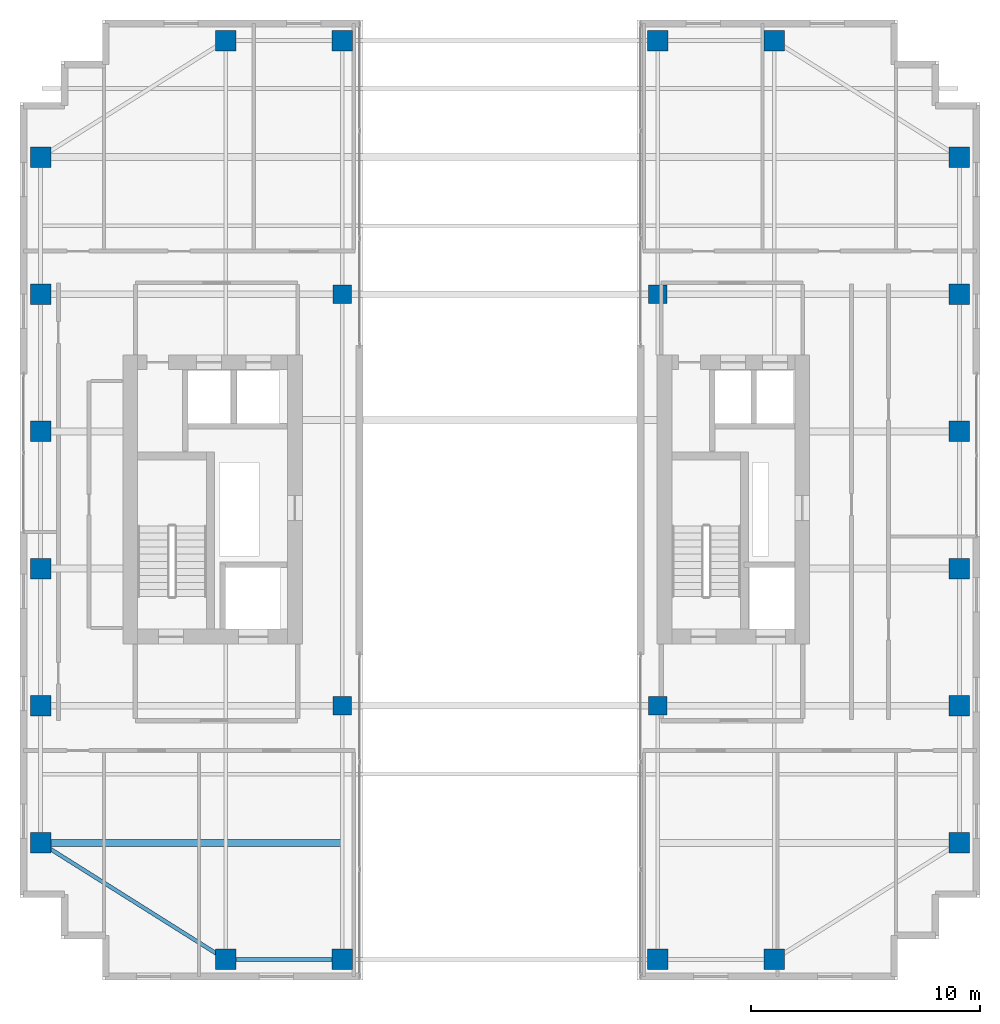
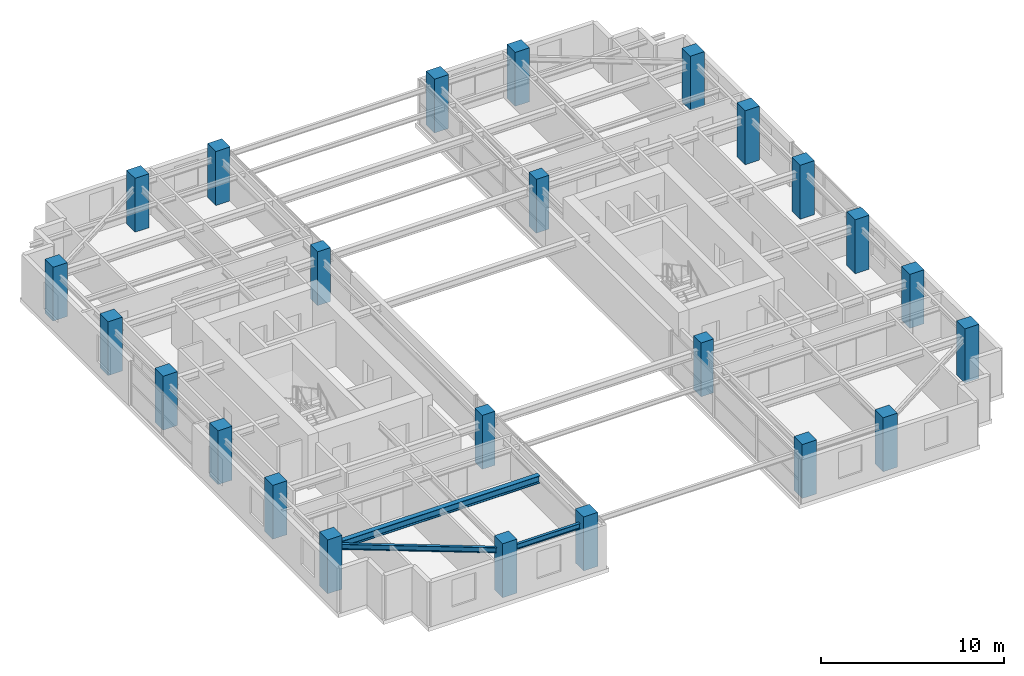
# One storey, part 1 of 21: 24 columns, 3 beams.
"""IFC4 building model written with IfcOpenShell, lengths in metres."""

from ifc_helpers import new_model, si_unit, direction, frame, origin, origin_2d, place, context, subcontext, project, spatial, rectangle, i_section, extrude, source, transform, mapped, material, material_profile, profile_set, type_object, element, save


model = new_model("IFC4")

# Units and contexts
model_context = context("Model", 3, precision=1e-05, world=origin(), true_north=direction((0.0, 1.0)))
body_context = subcontext(model_context, "Body", "Model", "MODEL_VIEW")
ifc_project = project(units=[si_unit("LENGTHUNIT", "METRE"), si_unit("AREAUNIT", "SQUARE_METRE"), si_unit("VOLUMEUNIT", "CUBIC_METRE"), si_unit("PLANEANGLEUNIT", "RADIAN"), si_unit("MASSUNIT", "GRAM", prefix="KILO")], contexts=[model_context])

# Site, building, storey
site_placement = place(None, origin())
site = spatial("IfcSite", under=ifc_project, at=site_placement, CompositionType="ELEMENT")
building_placement = place(site_placement, origin())
building = spatial("IfcBuilding", under=site, at=building_placement, Name="Khoralis Quay Care Tower", CompositionType="ELEMENT")
storey_placement = place(building_placement, frame((0.0, 0.0, 213.300048828125)))
storey = spatial("IfcBuildingStorey", under=building, at=storey_placement, Name="L56", CompositionType="ELEMENT", Elevation=213.300048828125)

# Columns
ifc_material_1 = material(Name="Concrete C65/80", Category="concrete")
ifc_material_profile_1 = material_profile(ifc_material_1, rectangle(XDim=0.89990234375, YDim=0.89990234375, at=origin_2d()), Name="Concrete C65/80")
ifc_profile_set_1 = profile_set([ifc_material_profile_1], Name="Concrete C65/80")
column_type_1 = type_object("IfcColumnType", Name="COL-C900", PredefinedType="COLUMN", material=ifc_profile_set_1)
shared_shape_1 = source(origin(), body_context, "Body", "SweptSolid", [
    extrude(rectangle(XDim=0.89990234375, YDim=0.89990234375, at=origin_2d()), origin(), (0.0, 0.0, 1.0), 3.599853515625),
])
for number, where, z_axis, x_axis, name in (
    (1, (12.0, 0.89990234375, 0.0), (0.0, 0.0, 1.0), (1.0, 0.0, 0.0), "COL-TWR-L56-01"),
    (2, (12.0, 41.10009765625, 0.0), (0.0, 0.0, 1.0), (1.0, 0.0, 0.0), "COL-TWR-L56-02"),
    (3, (17.10009765625, 0.89990234375, 0.0), (0.0, 0.0, 1.0), (1.0, 0.0, 0.0), "COL-TWR-L56-03"),
    (4, (17.10009765625, 41.10009765625, 0.0), (0.0, 0.0, 1.0), (1.0, 0.0, 0.0), "COL-TWR-L56-04"),
    (5, (30.89990234375, 0.89990234375, 0.0), (0.0, 0.0, 1.0), (1.0, 0.0, 0.0), "COL-TWR-L56-05"),
    (6, (30.89990234375, 41.10009765625, 0.0), (0.0, 0.0, 1.0), (1.0, 0.0, 0.0), "COL-TWR-L56-06"),
    (7, (36.0, 0.89990234375, 0.0), (0.0, 0.0, 1.0), (1.0, 0.0, 0.0), "COL-TWR-L56-07"),
    (8, (36.0, 41.10009765625, 0.0), (0.0, 0.0, 1.0), (1.0, 0.0, 0.0), "COL-TWR-L56-08"),
    (9, (3.89990234375, 6.0, 0.0), (0.0, 0.0, 1.0), (1.0, 0.0, 0.0), "COL-TWR-L56-09"),
    (10, (44.10009765625, 6.0, 0.0), (0.0, 0.0, 1.0), (1.0, 0.0, 0.0), "COL-TWR-L56-10"),
    (11, (3.89990234375, 12.0, 0.0), (0.0, 0.0, 1.0), (1.0, 0.0, 0.0), "COL-TWR-L56-11"),
    (12, (44.10009765625, 12.0, 0.0), (0.0, 0.0, 1.0), (1.0, 0.0, 0.0), "COL-TWR-L56-12"),
    (13, (3.89990234375, 18.0, 0.0), (0.0, 0.0, 1.0), (1.0, 0.0, 0.0), "COL-TWR-L56-13"),
    (14, (44.10009765625, 18.0, 0.0), (0.0, 0.0, 1.0), (1.0, 0.0, 0.0), "COL-TWR-L56-14"),
    (15, (3.89990234375, 24.0, 0.0), (0.0, 0.0, 1.0), (1.0, 0.0, 0.0), "COL-TWR-L56-15"),
    (16, (44.10009765625, 24.0, 0.0), (0.0, 0.0, 1.0), (1.0, 0.0, 0.0), "COL-TWR-L56-16"),
    (17, (3.89990234375, 30.0, 0.0), (0.0, 0.0, 1.0), (1.0, 0.0, 0.0), "COL-TWR-L56-17"),
    (18, (44.10009765625, 30.0, 0.0), (0.0, 0.0, 1.0), (1.0, 0.0, 0.0), "COL-TWR-L56-18"),
    (19, (3.89990234375, 36.0, 0.0), (0.0, 0.0, 1.0), (1.0, 0.0, 0.0), "COL-TWR-L56-19"),
    (20, (44.10009765625, 36.0, 0.0), (0.0, 0.0, 1.0), (1.0, 0.0, 0.0), "COL-TWR-L56-20"),
):
    element("IfcColumn", number, at=place(storey_placement, frame(where, z_axis=z_axis, x_axis=x_axis)), inside=storey, type_object=column_type_1, Name=name, PredefinedType="COLUMN", context=body_context, shape_type="MappedRepresentation", body=[
        mapped(shared_shape_1, transform((0.0, 0.0, 0.0), scale=1.0)),
    ])
ifc_material_2 = material(Name="Concrete C50/60", Category="concrete")
ifc_material_profile_2 = material_profile(ifc_material_2, rectangle(XDim=0.800048828125, YDim=0.800048828125, at=origin_2d()), Name="Concrete C50/60")
ifc_profile_set_2 = profile_set([ifc_material_profile_2], Name="Concrete C50/60")
column_type_2 = type_object("IfcColumnType", Name="COL-C800", PredefinedType="COLUMN", material=ifc_profile_set_2)
shared_shape_2 = source(origin(), body_context, "Body", "SweptSolid", [
    extrude(rectangle(XDim=0.800048828125, YDim=0.800048828125, at=origin_2d()), origin(), (0.0, 0.0, 1.0), 3.599853515625),
])
for number, where, z_axis, x_axis, name in (
    (21, (17.10009765625, 12.0, 0.0), (0.0, 0.0, 1.0), (1.0, 0.0, 0.0), "COL-TWR-L56-21"),
    (22, (17.10009765625, 30.0, 0.0), (0.0, 0.0, 1.0), (1.0, 0.0, 0.0), "COL-TWR-L56-22"),
    (23, (30.89990234375, 12.0, 0.0), (0.0, 0.0, 1.0), (1.0, 0.0, 0.0), "COL-TWR-L56-23"),
    (24, (30.89990234375, 30.0, 0.0), (0.0, 0.0, 1.0), (1.0, 0.0, 0.0), "COL-TWR-L56-24"),
):
    element("IfcColumn", number, at=place(storey_placement, frame(where, z_axis=z_axis, x_axis=x_axis)), inside=storey, type_object=column_type_2, Name=name, PredefinedType="COLUMN", context=body_context, shape_type="MappedRepresentation", body=[
        mapped(shared_shape_2, transform((0.0, 0.0, 0.0), scale=1.0)),
    ])

# Beams
ifc_material_3 = material(Name="Steel S355", Category="steel")
ifc_material_profile_3 = material_profile(ifc_material_3, i_section(OverallWidth=0.169921875, OverallDepth=0.360107421875, WebThickness=0.008056640625, FlangeThickness=0.0126953125, FilletRadius=0.01806640625, at=origin_2d()), Name="Steel S355")
ifc_profile_set_3 = profile_set([ifc_material_profile_3], Name="Steel S355")
beam_type_1 = type_object("IfcBeamType", Name="BM-IPE360", PredefinedType="SPANDREL", material=ifc_profile_set_3)
shared_shape_3 = source(origin(), body_context, "Body", "SweptSolid", [
    extrude(i_section(OverallWidth=0.169921875, OverallDepth=0.360107421875, WebThickness=0.008056640625, FlangeThickness=0.0126953125, FilletRadius=0.01806640625, at=origin_2d()), origin(), (0.0, 0.0, 1.0), 5.10009765625),
])
beam_1_placement = place(storey_placement, frame((12.0, 0.89990234375, 2.77001953125), z_axis=(1.0, 0.0, 0.0), x_axis=(0.0, 1.0, 0.0)))
element("IfcBeam", 25, at=beam_1_placement, inside=storey, type_object=beam_type_1, Name="BM-TSP-L56-01", PredefinedType="SPANDREL", context=body_context, shape_type="MappedRepresentation", body=[
    mapped(shared_shape_3, transform((0.0, 0.0, 0.0), scale=1.0)),
])
shared_shape_4 = source(origin(), body_context, "Body", "SweptSolid", [
    extrude(i_section(OverallWidth=0.169921875, OverallDepth=0.360107421875, WebThickness=0.008056640625, FlangeThickness=0.0126953125, FilletRadius=0.01806640625, at=origin_2d()), origin(), (0.0, 0.0, 1.0), 9.572021484375),
])
beam_2_placement = place(storey_placement, frame((12.0, 0.89990234375, 2.77001953125), z_axis=(-0.846231136359, 0.532815975602, 0.0), x_axis=(-0.532815975602, -0.846231136359, 0.0)))
element("IfcBeam", 26, at=beam_2_placement, inside=storey, type_object=beam_type_1, Name="BM-TCR-L56-17", PredefinedType="SPANDREL", context=body_context, shape_type="MappedRepresentation", body=[
    mapped(shared_shape_4, transform((0.0, 0.0, 0.0), scale=1.0)),
])
ifc_material_profile_4 = material_profile(ifc_material_3, i_section(OverallWidth=0.300048828125, OverallDepth=0.5, WebThickness=0.014404296875, FlangeThickness=0.028076171875, FilletRadius=0.027099609375, at=origin_2d()), Name="Steel S355")
ifc_profile_set_4 = profile_set([ifc_material_profile_4], Name="Steel S355")
beam_type_2 = type_object("IfcBeamType", Name="BM-HEB500", PredefinedType="BEAM", material=ifc_profile_set_4)
shared_shape_5 = source(origin(), body_context, "Body", "SweptSolid", [
    extrude(i_section(OverallWidth=0.300048828125, OverallDepth=0.5, WebThickness=0.014404296875, FlangeThickness=0.028076171875, FilletRadius=0.027099609375, at=origin_2d()), origin(), (0.0, 0.0, 1.0), 13.135009765625),
])
beam_3_placement = place(storey_placement, frame((3.89990234375, 6.0, 2.699951171875), z_axis=(1.0, 0.0, 0.0), x_axis=(0.0, 1.0, 0.0)))
element("IfcBeam", 27, at=beam_3_placement, inside=storey, type_object=beam_type_2, Name="BM-TGXW-L56-60", PredefinedType="BEAM", context=body_context, shape_type="MappedRepresentation", body=[
    mapped(shared_shape_5, transform((0.0, 0.0, 0.0), scale=1.0)),
])

save(model, "model.ifc")
